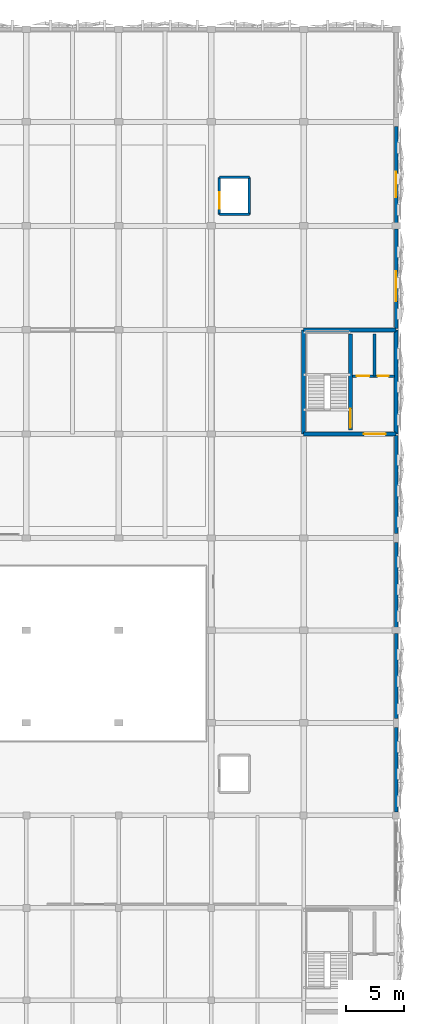
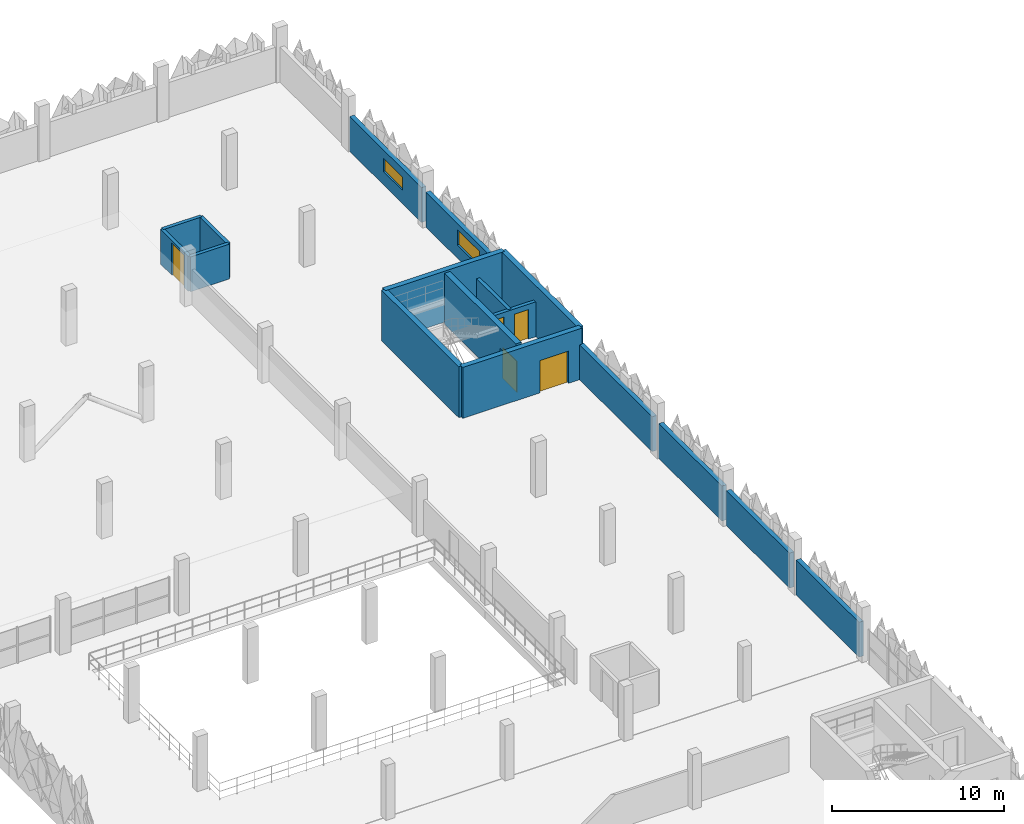
# One storey, part 79 of 123: 17 walls, 5 doors, 2 windows, 7 openings.
"""IFC4 building model written with IfcOpenShell, lengths in metres."""

from ifc_helpers import new_model, si_unit, derived_unit, direction, frame, frame_2d, origin, place, context, subcontext, project, spatial, rectangle, extrude, material, layer, layer_set, type_object, element, fill, save


model = new_model("IFC4")

# Units and contexts
model_context = context("Model", 3, precision=1e-05, world=origin(), true_north=direction((0.0, 1.0)))
body_context = subcontext(model_context, "Body", "Model", "MODEL_VIEW")
ifc_project = project(units=[si_unit("LENGTHUNIT", "METRE"), si_unit("AREAUNIT", "SQUARE_METRE"), si_unit("VOLUMEUNIT", "CUBIC_METRE"), si_unit("PLANEANGLEUNIT", "RADIAN"), si_unit("MASSUNIT", "GRAM", prefix="KILO"), si_unit("THERMODYNAMICTEMPERATUREUNIT", "KELVIN"), derived_unit("THERMALTRANSMITTANCEUNIT", [(si_unit("POWERUNIT", "WATT"), 1), (si_unit("AREAUNIT", "SQUARE_METRE"), -1), (si_unit("THERMODYNAMICTEMPERATUREUNIT", "KELVIN"), -1)])], contexts=[model_context])

# Site, building, storey
site_placement = place(None, origin())
site = spatial("IfcSite", under=ifc_project, at=site_placement, CompositionType="ELEMENT")
building_placement = place(site_placement, origin())
building = spatial("IfcBuilding", under=site, at=building_placement, Name="Haiyu Intermodal Mobility Hub", CompositionType="ELEMENT")
storey_placement = place(building_placement, frame((0.0, 0.0, 5.60009765625)))
storey = spatial("IfcBuildingStorey", under=building, at=storey_placement, Name="L01", CompositionType="ELEMENT", Elevation=5.60009765625)

# Walls
ifc_material_1 = material(Name="Precast concrete C40", Category="concrete")
ifc_layer_1 = layer(ifc_material_1, 0.300048828125)
ifc_layer_set_1 = layer_set([ifc_layer_1], Name="Precast concrete C40")
wall_type_1 = type_object("IfcWallType", Name="WAL-WE01", PredefinedType="STANDARD", material=ifc_layer_set_1)
wall_1_placement = place(storey_placement, frame((210.0, 80.284912109375, 0.0), z_axis=(0.0, 0.0, 1.0), x_axis=(0.0, 1.0, 0.0)))
element("IfcWall", 1, at=wall_1_placement, inside=storey, type_object=wall_type_1, Name="WAL-V6E-160", PredefinedType="STANDARD", context=body_context, shape_type="SweptSolid", body=[
    extrude(rectangle(XDim=7.330078125, YDim=0.300048828125, at=frame_2d((3.6650390625, 0.0))), origin(), (0.0, 0.0, 1.0), 2.47998046875),
])
for number, where, z_axis, x_axis, name in (
    (2, (210.0, 88.385009765625, 0.0), (0.0, 0.0, 1.0), (0.0, 1.0, 0.0), "WAL-V6E-162"),
    (3, (210.0, 96.2548828125, 0.0), (0.0, 0.0, 1.0), (0.0, 1.0, 0.0), "WAL-V6E-164"),
):
    element("IfcWall", number, at=place(storey_placement, frame(where, z_axis=z_axis, x_axis=x_axis)), inside=storey, type_object=wall_type_1, Name=name, PredefinedType="STANDARD", context=body_context, shape_type="SweptSolid", body=[
        extrude(rectangle(XDim=7.360107421875, YDim=0.300048828125, at=frame_2d((3.68017578125, 0.0))), origin(), (0.0, 0.0, 1.0), 2.47998046875),
    ])
wall_2_placement = place(storey_placement, frame((210.0, 104.385009765625, 0.0), z_axis=(0.0, 0.0, 1.0), x_axis=(0.0, 1.0, 0.0)))
element("IfcWall", 4, at=wall_2_placement, inside=storey, type_object=wall_type_1, Name="WAL-V6E-166", PredefinedType="STANDARD", context=body_context, shape_type="SweptSolid", body=[
    extrude(rectangle(XDim=8.485107421875, YDim=0.300048828125, at=frame_2d((4.24267578125, 0.0))), origin(), (0.0, 0.0, 1.0), 2.47998046875),
])

# Wall, opening, window
wall_3_placement = place(storey_placement, frame((210.0, 122.1298828125, 0.0), z_axis=(0.0, 0.0, 1.0), x_axis=(0.0, 1.0, 0.0)))
wall_3 = element("IfcWall", 5, at=wall_3_placement, inside=storey, type_object=wall_type_1, Name="WAL-V6E-168", PredefinedType="STANDARD", context=body_context, shape_type="SweptSolid", body=[
    extrude(rectangle(XDim=8.615234375, YDim=0.300048828125, at=frame_2d((4.3076171875, 0.0))), origin(), (0.0, 0.0, 1.0), 2.47998046875),
])
opening_1_placement = place(wall_3_placement, frame((2.35009765625, 0.0, 0.949951171875)))
opening_1 = element("IfcOpeningElement", 6, at=opening_1_placement, cuts=wall_3, Name="Opening WN10", PredefinedType="OPENING", context=body_context, shape_type="SweptSolid", body=[
    extrude(rectangle(XDim=2.60009765625, YDim=1.10009765625, at=frame_2d((1.300048828125, 0.550048828125))), frame((0.0, 0.16015625, 0.0), z_axis=(0.0, -1.0, 0.0), x_axis=(1.0, 0.0, 0.0)), (0.0, 0.0, 1.0), 0.320068359375),
])
ifc_material_2 = material(Name="Low-e laminated insulating glass", Category="glass")
window_type_1 = type_object("IfcWindowType", Name="WIN-WN10", PartitioningType="DOUBLE_PANEL_HORIZONTAL", PredefinedType="WINDOW", material=ifc_material_2)
window_1_placement = place(opening_1_placement, origin())
window_1 = element("IfcWindow", 7, at=window_1_placement, inside=storey, type_object=window_type_1, Name="WAL-V6E-168-WN01", OverallHeight=1.10009765625, OverallWidth=2.60009765625, PartitioningType="SINGLE_PANEL", PredefinedType="WINDOW", context=body_context, shape_type="SweptSolid", body=[
    extrude(rectangle(XDim=2.60009765625, YDim=1.10009765625, at=frame_2d((1.300048828125, 0.550048828125))), frame((0.0, 0.030029296875, 0.0), z_axis=(0.0, -1.0, 0.0), x_axis=(1.0, 0.0, 0.0)), (0.0, 0.0, 1.0), 0.06005859375),
])
fill(opening_1, window_1)

wall_4_placement = place(storey_placement, frame((210.0, 131.2548828125, 0.0), z_axis=(0.0, 0.0, 1.0), x_axis=(0.0, 1.0, 0.0)))
wall_4 = element("IfcWall", 8, at=wall_4_placement, inside=storey, type_object=wall_type_1, Name="WAL-V6E-170", PredefinedType="STANDARD", context=body_context, shape_type="SweptSolid", body=[
    extrude(rectangle(XDim=8.360107421875, YDim=0.300048828125, at=frame_2d((4.18017578125, 0.0))), origin(), (0.0, 0.0, 1.0), 2.47998046875),
])
opening_2_placement = place(wall_4_placement, frame((2.22509765625, 0.0, 0.949951171875)))
opening_2 = element("IfcOpeningElement", 9, at=opening_2_placement, cuts=wall_4, Name="Opening WN11", PredefinedType="OPENING", context=body_context, shape_type="SweptSolid", body=[
    extrude(rectangle(XDim=2.199951171875, YDim=0.949951171875, at=frame_2d((1.10009765625, 0.47509765625))), frame((0.0, 0.16015625, 0.0), z_axis=(0.0, -1.0, 0.0), x_axis=(1.0, 0.0, 0.0)), (0.0, 0.0, 1.0), 0.320068359375),
])
window_type_2 = type_object("IfcWindowType", Name="WIN-WN11", PartitioningType="DOUBLE_PANEL_HORIZONTAL", PredefinedType="WINDOW", material=ifc_material_2)
window_2_placement = place(opening_2_placement, origin())
window_2 = element("IfcWindow", 10, at=window_2_placement, inside=storey, type_object=window_type_2, Name="WAL-V6E-170-WN01", OverallHeight=0.949951171875, OverallWidth=2.199951171875, PartitioningType="SINGLE_PANEL", PredefinedType="WINDOW", context=body_context, shape_type="SweptSolid", body=[
    extrude(rectangle(XDim=2.199951171875, YDim=0.949951171875, at=frame_2d((1.10009765625, 0.47509765625))), frame((0.0, 0.030029296875, 0.0), z_axis=(0.0, -1.0, 0.0), x_axis=(1.0, 0.0, 0.0)), (0.0, 0.0, 1.0), 0.06005859375),
])
fill(opening_2, window_2)

# Wall
ifc_material_3 = material(Name="Autoclaved aerated concrete block A5.0", Category="concrete")
ifc_layer_2 = layer(ifc_material_3, 0.22998046875)
ifc_layer_set_2 = layer_set([ifc_layer_2], Name="Autoclaved aerated concrete block A5.0")
wall_type_2 = type_object("IfcWallType", Name="WAL-WI01", PredefinedType="PARTITIONING", material=ifc_layer_set_2)
wall_5_placement = place(storey_placement, frame((208.1298828125, 118.0, 0.0), z_axis=(0.0, 0.0, 1.0), x_axis=(0.0, 1.0, 0.0)))
element("IfcWall", 11, at=wall_5_placement, inside=storey, type_object=wall_type_2, Name="WAL-CORE-C10-LSH-L01", PredefinedType="PARTITIONING", context=body_context, shape_type="SweptSolid", body=[
    extrude(rectangle(XDim=3.64990234375, YDim=0.22998046875, at=frame_2d((1.824951171875, 0.0))), origin(), (0.0, 0.0, 1.0), 2.47998046875),
])

# Wall, openings, doors
wall_6_placement = place(storey_placement, frame((206.2099609375, 118.0, 0.0), z_axis=(0.0, 0.0, 1.0), x_axis=(1.0, 0.0, 0.0)))
wall_6 = element("IfcWall", 12, at=wall_6_placement, inside=storey, type_object=wall_type_2, Name="WAL-CORE-C10-LFT-L01", PredefinedType="PARTITIONING", context=body_context, shape_type="SweptSolid", body=[
    extrude(rectangle(XDim=3.630126953125, YDim=0.22998046875, at=frame_2d((1.81494140625, 0.0))), origin(), (0.0, 0.0, 1.0), 2.47998046875),
])
opening_3_placement = place(wall_6_placement, frame((0.3798828125, 0.0, 0.0)))
opening_3 = element("IfcOpeningElement", 13, at=opening_3_placement, cuts=wall_6, Name="Opening LD01", PredefinedType="OPENING", context=body_context, shape_type="SweptSolid", body=[
    extrude(rectangle(XDim=1.10009765625, YDim=2.14990234375, at=frame_2d((0.550048828125, 1.074951171875))), frame((0.0, 0.125, 0.0), z_axis=(0.0, -1.0, 0.0), x_axis=(1.0, 0.0, 0.0)), (0.0, 0.0, 1.0), 0.25),
])
opening_4_placement = place(wall_6_placement, frame((2.179931640625, 0.0, 0.0)))
opening_4 = element("IfcOpeningElement", 14, at=opening_4_placement, cuts=wall_6, Name="Opening DI07", PredefinedType="OPENING", context=body_context, shape_type="SweptSolid", body=[
    extrude(rectangle(XDim=0.949951171875, YDim=2.10009765625, at=frame_2d((0.47509765625, 1.050048828125))), frame((0.0, 0.125, 0.0), z_axis=(0.0, -1.0, 0.0), x_axis=(1.0, 0.0, 0.0)), (0.0, 0.0, 1.0), 0.25),
])
ifc_material_4 = material(Name="Steel Q355C", Category="steel")
door_type_1 = type_object("IfcDoorType", Name="DR-DI07", OperationType="NOTDEFINED", PredefinedType="DOOR", material=ifc_material_4)
door_1_placement = place(opening_4_placement, origin())
door_1 = element("IfcDoor", 15, at=door_1_placement, inside=storey, type_object=door_type_1, Name="Core C10 Accessible WC Door L01", OperationType="SINGLE_SWING_RIGHT", OverallHeight=2.10009765625, OverallWidth=0.949951171875, PredefinedType="DOOR", context=body_context, shape_type="SweptSolid", body=[
    extrude(rectangle(XDim=0.949951171875, YDim=2.10009765625, at=frame_2d((0.47509765625, 1.050048828125))), frame((0.0, 0.02490234375, 0.0), z_axis=(0.0, -1.0, 0.0), x_axis=(1.0, 0.0, 0.0)), (0.0, 0.0, 1.0), 0.050048828125),
])
fill(opening_4, door_1)
door_type_2 = type_object("IfcDoorType", Name="DR-LD01", OperationType="DOUBLE_DOOR_SLIDING", PredefinedType="DOOR", material=ifc_material_4)
door_2_placement = place(opening_3_placement, origin())
door_2 = element("IfcDoor", 16, at=door_2_placement, inside=storey, type_object=door_type_2, Name="Lift FL-04 Sliding Landing Door L01", OperationType="SLIDING_TO_LEFT", OverallHeight=2.14990234375, OverallWidth=1.10009765625, PredefinedType="DOOR", context=body_context, shape_type="SweptSolid", body=[
    extrude(rectangle(XDim=1.10009765625, YDim=2.14990234375, at=frame_2d((0.550048828125, 1.074951171875))), frame((0.0, 0.02490234375, 0.0), z_axis=(0.0, -1.0, 0.0), x_axis=(1.0, 0.0, 0.0)), (0.0, 0.0, 1.0), 0.050048828125),
])
fill(opening_3, door_2)

# Wall, opening, door
wall_7_placement = place(storey_placement, frame((194.699951171875, 132.0, 0.0), z_axis=(0.0, 0.0, 1.0), x_axis=(0.0, 1.0, 0.0)))
wall_7 = element("IfcWall", 17, at=wall_7_placement, inside=storey, type_object=wall_type_2, Name="WAL-GL-02-W-L01", PredefinedType="PARTITIONING", context=body_context, shape_type="SweptSolid", body=[
    extrude(rectangle(XDim=3.199951171875, YDim=0.22998046875, at=frame_2d((1.60009765625, 0.0))), origin(), (0.0, 0.0, 1.0), 2.47998046875),
])
opening_5_placement = place(wall_7_placement, frame((0.5, 0.0, 0.0)))
opening_5 = element("IfcOpeningElement", 18, at=opening_5_placement, cuts=wall_7, Name="Opening LD03", PredefinedType="OPENING", context=body_context, shape_type="SweptSolid", body=[
    extrude(rectangle(XDim=1.39990234375, YDim=2.300048828125, at=frame_2d((0.699951171875, 1.14990234375))), frame((0.0, 0.125, 0.0), z_axis=(0.0, -1.0, 0.0), x_axis=(1.0, 0.0, 0.0)), (0.0, 0.0, 1.0), 0.25),
])
door_type_3 = type_object("IfcDoorType", Name="DR-LD03", OperationType="DOUBLE_DOOR_SLIDING", PredefinedType="DOOR", material=ifc_material_4)
door_3_placement = place(opening_5_placement, origin())
door_3 = element("IfcDoor", 19, at=door_3_placement, inside=storey, type_object=door_type_3, Name="Goods Lift GL-02 Sliding Door L01", OperationType="SLIDING_TO_RIGHT", OverallHeight=2.300048828125, OverallWidth=1.39990234375, PredefinedType="DOOR", context=body_context, shape_type="SweptSolid", body=[
    extrude(rectangle(XDim=1.39990234375, YDim=2.300048828125, at=frame_2d((0.699951171875, 1.14990234375))), frame((0.0, 0.02490234375, 0.0), z_axis=(0.0, -1.0, 0.0), x_axis=(1.0, 0.0, 0.0)), (0.0, 0.0, 1.0), 0.050048828125),
])
fill(opening_5, door_3)

# Walls
wall_8_placement = place(storey_placement, frame((194.699951171875, 135.199951171875, 0.0), z_axis=(0.0, 0.0, 1.0), x_axis=(1.0, 0.0, 0.0)))
element("IfcWall", 20, at=wall_8_placement, inside=storey, type_object=wall_type_2, Name="WAL-GL-02-N-L01", PredefinedType="PARTITIONING", context=body_context, shape_type="SweptSolid", body=[
    extrude(rectangle(XDim=2.60009765625, YDim=0.22998046875, at=frame_2d((1.300048828125, 0.0))), origin(), (0.0, 0.0, 1.0), 2.47998046875),
])
wall_9_placement = place(storey_placement, frame((197.300048828125, 135.199951171875, 0.0), z_axis=(0.0, 0.0, 1.0), x_axis=(0.0, -1.0, 0.0)))
element("IfcWall", 21, at=wall_9_placement, inside=storey, type_object=wall_type_2, Name="WAL-GL-02-E-L01", PredefinedType="PARTITIONING", context=body_context, shape_type="SweptSolid", body=[
    extrude(rectangle(XDim=3.199951171875, YDim=0.22998046875, at=frame_2d((1.60009765625, 0.0))), origin(), (0.0, 0.0, 1.0), 2.47998046875),
])
wall_10_placement = place(storey_placement, frame((197.300048828125, 132.0, 0.0), z_axis=(0.0, 0.0, 1.0), x_axis=(-1.0, 0.0, 0.0)))
element("IfcWall", 22, at=wall_10_placement, inside=storey, type_object=wall_type_2, Name="WAL-GL-02-S-L01", PredefinedType="PARTITIONING", context=body_context, shape_type="SweptSolid", body=[
    extrude(rectangle(XDim=2.60009765625, YDim=0.22998046875, at=frame_2d((1.300048828125, 0.0))), origin(), (0.0, 0.0, 1.0), 2.47998046875),
])

# Wall, opening, door
ifc_material_5 = material(Name="Concrete C40", Category="concrete")
ifc_layer_3 = layer(ifc_material_5, 0.35009765625)
ifc_layer_set_3 = layer_set([ifc_layer_3], Name="Concrete C40")
wall_type_3 = type_object("IfcWallType", Name="WAL-WS02", PredefinedType="SHEAR", material=ifc_layer_set_3)
wall_11_placement = place(storey_placement, frame((202.0, 113.0, 0.0), z_axis=(0.0, 0.0, 1.0), x_axis=(1.0, 0.0, 0.0)))
wall_11 = element("IfcWall", 23, at=wall_11_placement, inside=storey, type_object=wall_type_3, Name="WAL-CORE-C10-S-L01", PredefinedType="SHEAR", context=body_context, shape_type="SweptSolid", body=[
    extrude(rectangle(XDim=8.0, YDim=0.35009765625, at=frame_2d((4.0, 0.0))), origin(), (0.0, 0.0, 1.0), 3.619873046875),
])
opening_6_placement = place(wall_11_placement, frame((5.199951171875, 0.0, 0.0)))
opening_6 = element("IfcOpeningElement", 24, at=opening_6_placement, cuts=wall_11, Name="Opening DI01", PredefinedType="OPENING", context=body_context, shape_type="SweptSolid", body=[
    extrude(rectangle(XDim=1.89990234375, YDim=2.300048828125, at=frame_2d((0.949951171875, 1.14990234375))), frame((0.0, 0.18505859375, 0.0), z_axis=(0.0, -1.0, 0.0), x_axis=(1.0, 0.0, 0.0)), (0.0, 0.0, 1.0), 0.3701171875),
])
door_type_4 = type_object("IfcDoorType", Name="DR-DI01", OperationType="DOUBLE_DOOR_SINGLE_SWING", PredefinedType="DOOR", material=ifc_material_4)
door_4_placement = place(opening_6_placement, origin())
door_4 = element("IfcDoor", 25, at=door_4_placement, inside=storey, type_object=door_type_4, Name="Core C10 Lobby Fire Door L01", OperationType="SINGLE_SWING_LEFT", OverallHeight=2.300048828125, OverallWidth=1.89990234375, PredefinedType="DOOR", context=body_context, shape_type="SweptSolid", body=[
    extrude(rectangle(XDim=1.89990234375, YDim=2.300048828125, at=frame_2d((0.949951171875, 1.14990234375))), frame((0.0, 0.02490234375, 0.0), z_axis=(0.0, -1.0, 0.0), x_axis=(1.0, 0.0, 0.0)), (0.0, 0.0, 1.0), 0.050048828125),
])
fill(opening_6, door_4)

# Walls
wall_12_placement = place(storey_placement, frame((210.0, 113.0, 0.0), z_axis=(0.0, 0.0, 1.0), x_axis=(0.0, 1.0, 0.0)))
element("IfcWall", 26, at=wall_12_placement, inside=storey, type_object=wall_type_3, Name="WAL-CORE-C10-E-L01", PredefinedType="SHEAR", context=body_context, shape_type="SweptSolid", body=[
    extrude(rectangle(XDim=9.0, YDim=0.35009765625, at=frame_2d((4.5, 0.0))), origin(), (0.0, 0.0, 1.0), 3.619873046875),
])
wall_13_placement = place(storey_placement, frame((210.0, 122.0, 0.0), z_axis=(0.0, 0.0, 1.0), x_axis=(-1.0, 0.0, 0.0)))
element("IfcWall", 27, at=wall_13_placement, inside=storey, type_object=wall_type_3, Name="WAL-CORE-C10-N-L01", PredefinedType="SHEAR", context=body_context, shape_type="SweptSolid", body=[
    extrude(rectangle(XDim=8.0, YDim=0.35009765625, at=frame_2d((4.0, 0.0))), origin(), (0.0, 0.0, 1.0), 3.619873046875),
])
wall_14_placement = place(storey_placement, frame((202.0, 122.0, 0.0), z_axis=(0.0, 0.0, 1.0), x_axis=(0.0, -1.0, 0.0)))
element("IfcWall", 28, at=wall_14_placement, inside=storey, type_object=wall_type_3, Name="WAL-CORE-C10-W-L01", PredefinedType="SHEAR", context=body_context, shape_type="SweptSolid", body=[
    extrude(rectangle(XDim=9.0, YDim=0.35009765625, at=frame_2d((4.5, 0.0))), origin(), (0.0, 0.0, 1.0), 3.619873046875),
])

# Wall, opening, door
ifc_layer_4 = layer(ifc_material_5, 0.3798828125)
ifc_layer_set_4 = layer_set([ifc_layer_4], Name="Concrete C40")
wall_type_4 = type_object("IfcWallType", Name="WAL-WS03", PredefinedType="SHEAR", material=ifc_layer_set_4)
wall_15_placement = place(storey_placement, frame((206.050048828125, 113.35009765625, 0.0), z_axis=(0.0, 0.0, 1.0), x_axis=(0.0, 1.0, 0.0)))
wall_15 = element("IfcWall", 29, at=wall_15_placement, inside=storey, type_object=wall_type_4, Name="WAL-CORE-C10-MID-L01", PredefinedType="SHEAR", context=body_context, shape_type="SweptSolid", body=[
    extrude(rectangle(XDim=8.2998046875, YDim=0.3798828125, at=frame_2d((4.14990234375, 0.0))), origin(), (0.0, 0.0, 1.0), 3.619873046875),
])
opening_7_placement = place(wall_15_placement, frame((0.179931640625, 0.0, 0.0)))
opening_7 = element("IfcOpeningElement", 30, at=opening_7_placement, cuts=wall_15, Name="Opening DI02", PredefinedType="OPENING", context=body_context, shape_type="SweptSolid", body=[
    extrude(rectangle(XDim=1.64990234375, YDim=2.199951171875, at=frame_2d((0.824951171875, 1.10009765625))), frame((0.0, 0.199951171875, 0.0), z_axis=(0.0, -1.0, 0.0), x_axis=(1.0, 0.0, 0.0)), (0.0, 0.0, 1.0), 0.39990234375),
])
door_type_5 = type_object("IfcDoorType", Name="DR-DI02", OperationType="DOUBLE_DOOR_SINGLE_SWING", PredefinedType="DOOR", material=ifc_material_4)
door_5_placement = place(opening_7_placement, origin())
door_5 = element("IfcDoor", 31, at=door_5_placement, inside=storey, type_object=door_type_5, Name="Stair ST03 Fire Door L01", OperationType="SINGLE_SWING_LEFT", OverallHeight=2.199951171875, OverallWidth=1.64990234375, PredefinedType="DOOR", context=body_context, shape_type="SweptSolid", body=[
    extrude(rectangle(XDim=1.64990234375, YDim=2.199951171875, at=frame_2d((0.824951171875, 1.10009765625))), frame((0.0, 0.02490234375, 0.0), z_axis=(0.0, -1.0, 0.0), x_axis=(1.0, 0.0, 0.0)), (0.0, 0.0, 1.0), 0.050048828125),
])
fill(opening_7, door_5)

save(model, "model.ifc")
